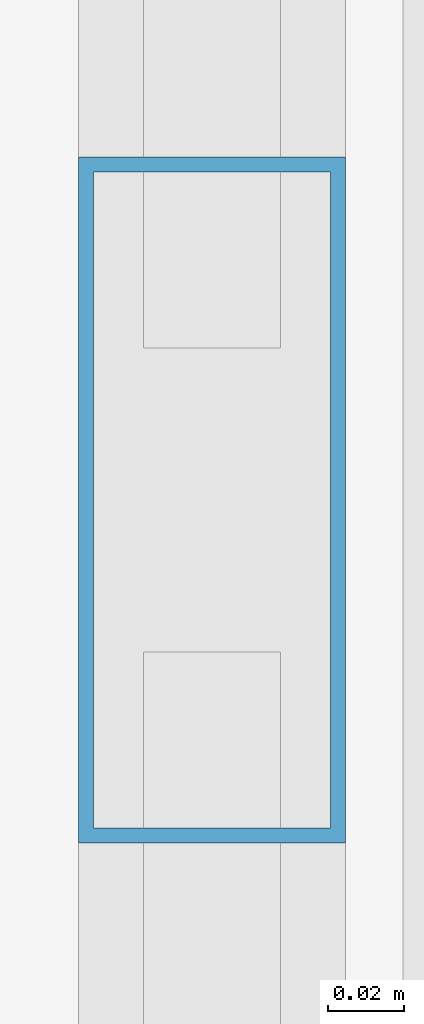
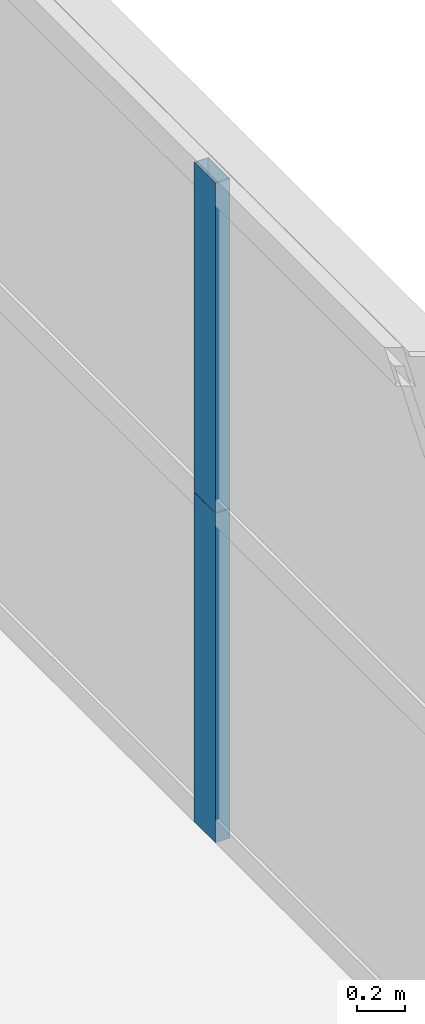
# One storey, part 17 of 38: 2 members, 1 element without a shape of its own.
"""IFC4 building model written with IfcOpenShell, lengths in metres."""

from ifc_helpers import new_model, si_unit, direction, frame, origin, origin_2d, place, context, subcontext, project, spatial, hollow_rectangle, extrude, source, transform, mapped, material, layer, layer_set, material_profile, profile_set, type_object, element, aggregate, save


model = new_model("IFC4")

# Units and contexts
model_context = context("Model", 3, precision=1e-05, world=origin(), true_north=direction((0.0, 1.0)))
body_context = subcontext(model_context, "Body", "Model", "MODEL_VIEW")
ifc_project = project(units=[si_unit("LENGTHUNIT", "METRE"), si_unit("AREAUNIT", "SQUARE_METRE"), si_unit("VOLUMEUNIT", "CUBIC_METRE"), si_unit("PLANEANGLEUNIT", "RADIAN"), si_unit("MASSUNIT", "GRAM", prefix="KILO"), si_unit("THERMODYNAMICTEMPERATUREUNIT", "KELVIN"), si_unit("POWERUNIT", "WATT")], contexts=[model_context])

# Site, building, storey
site_placement = place(None, origin())
site = spatial("IfcSite", under=ifc_project, at=site_placement, CompositionType="ELEMENT")
building_placement = place(site_placement, origin())
building = spatial("IfcBuilding", under=site, at=building_placement, Name="Yuzanri Waterfront Tower", CompositionType="ELEMENT")
storey_placement = place(building_placement, frame((0.0, 0.0, 111.800048828125)))
storey = spatial("IfcBuildingStorey", under=building, at=storey_placement, Name="L29", CompositionType="ELEMENT", Elevation=111.800048828125)

# Curtain wall, members
ifc_material_1 = material(Name="Anodized Architectural Bronze", Category="metal")
ifc_layer = layer(ifc_material_1, 0.159912109375)
ifc_layer_set = layer_set([ifc_layer], Name="Anodized Architectural Bronze")
curtain_wall_type = type_object("IfcCurtainWallType", Name="Anodized Bronze Hotel Upper-Tier Solar-Control Unitized Curtain Wall 7800", PredefinedType="NOTDEFINED", material=ifc_layer_set)
curtain_wall_placement = place(storey_placement, origin())
curtain_wall = element("IfcCurtainWall", 1, at=curtain_wall_placement, inside=storey, type_object=curtain_wall_type, Name="L29 Curtain Wall CW-L29-EL", PredefinedType="NOTDEFINED")
ifc_material_2 = material(Name="Anodized Architectural Bronze", Category="metal")
ifc_material_profile = material_profile(ifc_material_2, hollow_rectangle(XDim=0.070068359375, YDim=0.179931640625, WallThickness=0.00390625, at=origin_2d()), Name="CWM 70x180")
ifc_profile_set = profile_set([ifc_material_profile], Name="Anodized Architectural Bronze")
member_type = type_object("IfcMemberType", Name="Anodized Bronze Standard Curtain-Wall Mullion 70x180", PredefinedType="MULLION", material=ifc_profile_set)
shared_shape = source(origin(), body_context, "Body", "SweptSolid", [
    extrude(hollow_rectangle(XDim=0.070068359375, YDim=0.179931640625, WallThickness=0.00390625, at=origin_2d()), origin(), (0.0, 0.0, 1.0), 1.68798828125),
])
member_1_placement = place(storey_placement, frame((60.449951171875, 17.449951171875, 0.0), z_axis=(0.0, 0.0, 1.0), x_axis=(1.0, 0.0, 0.0)))
member_1 = element("IfcMember", 2, at=member_1_placement, type_object=member_type, Name="CW-L29-EL Lower Mullion 01", PredefinedType="MULLION", context=body_context, shape_type="MappedRepresentation", body=[
    mapped(shared_shape, transform((0.0, 0.0, 0.0), scale=1.0)),
])
member_2_placement = place(storey_placement, frame((60.449951171875, 17.449951171875, 1.69189453125), z_axis=(0.0, 0.0, 1.0), x_axis=(1.0, 0.0, 0.0)))
member_2 = element("IfcMember", 3, at=member_2_placement, type_object=member_type, Name="CW-L29-EL Upper Mullion 01", PredefinedType="MULLION", context=body_context, shape_type="MappedRepresentation", body=[
    mapped(shared_shape, transform((0.0, 0.0, 0.0), scale=1.0)),
])
aggregate(curtain_wall, [member_1, member_2])

save(model, "model.ifc")
